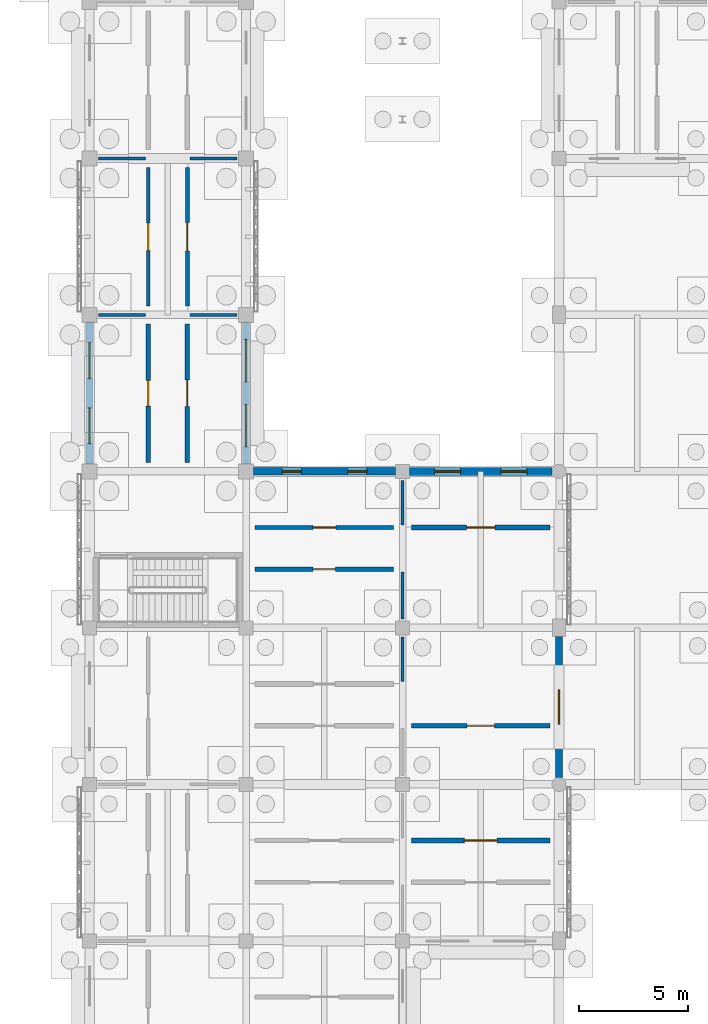
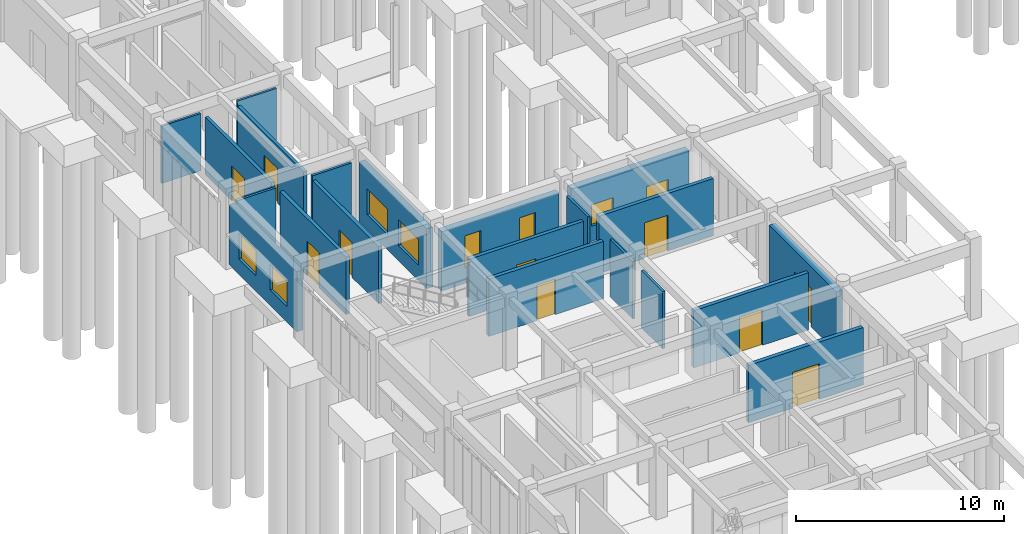
# One storey, part 65 of 111: 21 walls, 10 doors, 8 windows, 18 openings.
"""IFC4 building model written with IfcOpenShell, lengths in metres."""

import ifcopenshell
import ifcopenshell.guid

model = None  # the IFC model being written
_history = None  # IfcOwnerHistory: only IFC2X3 demands one
_inside = {}  # id of a spatial element -> (the spatial element, [elements in it])
_under = {}  # id of a project, library or spatial element -> (it, [spatial elements below it])
_declared = {}  # id of a project -> (the project, [libraries it declares])
_typed = {}  # id of a type object -> (the type object, [elements of that type])
_made_of = {}  # id of a material, layer set ... -> (it, [elements and type objects made of it])


def new_model(schema):
    """Start an empty IFC model of exactly this schema.

    Asked for "IFC4X3", IfcOpenShell would pick the latest addendum, in which some entities
    have other attributes; the version numbers below select the first issue.
    IFC2X3 requires an IfcOwnerHistory on every rooted entity: one is made here for all.
    """
    global model, _history
    if schema == "IFC4X3":
        model = ifcopenshell.file(schema_version=(4, 3, 0, 0))
    else:
        model = ifcopenshell.file(schema=schema)
    _inside.clear()
    _under.clear()
    _declared.clear()
    _typed.clear()
    _made_of.clear()
    _history = None
    if model.schema == "IFC2X3":
        org = make("IfcOrganization", Name="unknown")
        user = make(
            "IfcPersonAndOrganization",
            ThePerson=make("IfcPerson", FamilyName="unknown"),
            TheOrganization=org,
        )
        app = make(
            "IfcApplication",
            ApplicationDeveloper=org,
            Version="unknown",
            ApplicationFullName="unknown",
            ApplicationIdentifier="unknown",
        )
        _history = make(
            "IfcOwnerHistory",
            OwningUser=user,
            OwningApplication=app,
            ChangeAction="ADDED",
            CreationDate=0,
        )
    return model


def make(cls, **values):
    """One entity of the class cls with the attributes given. An attribute that is None is left unset."""
    return model.create_entity(
        cls, **{name: value for name, value in values.items() if value is not None}
    )


def rooted(cls, **values):
    """An entity with a GlobalId (a new one), such as an element, a storey or a relation."""
    return make(cls, GlobalId=ifcopenshell.guid.new(), OwnerHistory=_history, **values)


def si_unit(unit_type, name, prefix=None):
    """IfcSIUnit, for example si_unit("LENGTHUNIT", "METRE", prefix="MILLI")."""
    return make("IfcSIUnit", UnitType=unit_type, Prefix=prefix, Name=name)


def assignment(units):
    """IfcUnitAssignment: the units of a project."""
    return None if units is None else make("IfcUnitAssignment", Units=units)


def point(xyz):
    """IfcCartesianPoint."""
    return None if xyz is None else make("IfcCartesianPoint", Coordinates=xyz)


def direction(xyz):
    """IfcDirection."""
    return None if xyz is None else make("IfcDirection", DirectionRatios=xyz)


def frame(location, z_axis=None, x_axis=None):
    """IfcAxis2Placement3D, a coordinate frame: its origin and axes. An axis left out is left unset."""
    return make(
        "IfcAxis2Placement3D",
        Location=point(location),
        Axis=direction(z_axis),
        RefDirection=direction(x_axis),
    )


def frame_2d(location, x_axis=None):
    """IfcAxis2Placement2D, a coordinate frame in the plane: its origin and x axis."""
    return make(
        "IfcAxis2Placement2D", Location=point(location), RefDirection=direction(x_axis)
    )


def origin():
    """The frame at (0, 0, 0) with its axes left unset."""
    return frame((0.0, 0.0, 0.0))


def place(relative_to, where):
    """IfcLocalPlacement: puts the frame where relative to a parent placement (None: the world)."""
    return make(
        "IfcLocalPlacement", PlacementRelTo=relative_to, RelativePlacement=where
    )


def context(
    kind, dimensions, precision=None, world=None, true_north=None, identifier=None
):
    """IfcGeometricRepresentationContext, for example the 3D "Model" context."""
    return make(
        "IfcGeometricRepresentationContext",
        ContextIdentifier=identifier,
        ContextType=kind,
        CoordinateSpaceDimension=dimensions,
        Precision=precision,
        WorldCoordinateSystem=world,
        TrueNorth=true_north,
    )


def subcontext(parent, identifier, kind, view, scale=None):
    """IfcGeometricRepresentationSubContext, for example "Body" below "Model"."""
    return make(
        "IfcGeometricRepresentationSubContext",
        ContextIdentifier=identifier,
        ContextType=kind,
        ParentContext=parent,
        TargetScale=scale,
        TargetView=view,
    )


def project(units=None, contexts=None):
    """IfcProject with its units and contexts."""
    return rooted(
        "IfcProject",
        Name="project",
        RepresentationContexts=contexts,
        UnitsInContext=assignment(units),
    )


def spatial(cls, under=None, at=None, **own):
    """A site, building, storey or space (cls), placed at a placement, below another one or the project."""
    s = rooted(cls, ObjectPlacement=at, **own)
    if under is not None:
        _under.setdefault(under.id(), (under, []))[1].append(s)
    return s


def profile(cls, at=None, kind="AREA", **sizes):
    """A parametric profile (cls). Its sizes go by their IFC names, for example OverallWidth=200.0."""
    return make(cls, ProfileType=kind, Position=at, **sizes)


def rectangle(**sizes):
    """IfcRectangleProfileDef."""
    return profile("IfcRectangleProfileDef", **sizes)


def extrude(swept, where, along, depth):
    """IfcExtrudedAreaSolid: the profile swept, set in the frame where, extruded along a direction by depth."""
    return make(
        "IfcExtrudedAreaSolid",
        SweptArea=swept,
        Position=where,
        ExtrudedDirection=direction(along),
        Depth=depth,
    )


def shape(context_of_items, identifier, shape_type, items):
    """IfcShapeRepresentation: the items that make up one representation, for example the "Body"."""
    return make(
        "IfcShapeRepresentation",
        ContextOfItems=context_of_items,
        RepresentationIdentifier=identifier,
        RepresentationType=shape_type,
        Items=items,
    )


def material(Name=None, Category=None):
    """IfcMaterial."""
    return make("IfcMaterial", Name=Name, Category=Category)


def layer(
    of_material, thickness, ventilated=None, Name=None, Category=None, Priority=None
):
    """IfcMaterialLayer: one layer of a wall or slab, of a material (None: an air gap)."""
    return make(
        "IfcMaterialLayer",
        Material=of_material,
        LayerThickness=thickness,
        IsVentilated=ventilated,
        Name=Name,
        Category=Category,
        Priority=Priority,
    )


def layer_set(layers, Name=None):
    """IfcMaterialLayerSet."""
    return make("IfcMaterialLayerSet", MaterialLayers=layers, LayerSetName=Name)


def made_of(thing, what):
    """Note that an element or type object is made of a material, layer set ...; save() writes the relation."""
    if what is not None:
        _made_of.setdefault(what.id(), (what, []))[1].append(thing)
    return thing


def type_object(cls, material=None, **own):
    """A type object (cls), such as IfcWallType, which elements share."""
    return made_of(rooted(cls, **own), material)


def element(
    cls,
    number,
    at=None,
    inside=None,
    cuts=None,
    type_object=None,
    material=None,
    context=None,
    identifier="Body",
    shape_type=None,
    held_by="IfcProductDefinitionShape",
    body=None,
    shapes=None,
    **own,
):
    """One element of the class cls, such as IfcWall. Its Tag is "e" and its number.

    at: its placement. inside: the storey or other place that contains it. cuts: it is an
    opening in that element (IfcRelVoidsElement). A single representation is given by context,
    identifier, shape_type and body (its items); several are given by shapes. held_by: the class
    of the entity that holds the representations. save() writes the other relations.
    """
    e = rooted(cls, Tag="e%d" % number, ObjectPlacement=at, **own)
    if body is not None:
        shapes = [shape(context, identifier, shape_type, body)]
    if shapes is not None:
        e.Representation = make(held_by, Representations=shapes)
    if inside is not None:
        _inside.setdefault(inside.id(), (inside, []))[1].append(e)
    if cuts is not None:
        rooted(
            "IfcRelVoidsElement", RelatingBuildingElement=cuts, RelatedOpeningElement=e
        )
    if type_object is not None:
        _typed.setdefault(type_object.id(), (type_object, []))[1].append(e)
    return made_of(e, material)


def fill(opening, filler):
    """IfcRelFillsElement: the door or window that sits in an opening."""
    return rooted(
        "IfcRelFillsElement",
        RelatingOpeningElement=opening,
        RelatedBuildingElement=filler,
    )


def aggregate(whole, parts):
    """IfcRelAggregates: a whole, such as a stair, and the parts it consists of."""
    return rooted("IfcRelAggregates", RelatingObject=whole, RelatedObjects=parts)


def save(model, path):
    """Write the relations noted so far, then the file.

    IfcRelAggregates (storeys below a building ...), IfcRelContainedInSpatialStructure (elements
    in a storey), IfcRelDefinesByType, IfcRelAssociatesMaterial and IfcRelDeclares: one each for
    every whole, place, type object, material and project.
    """
    for whole, parts in _under.values():
        aggregate(whole, parts)
    for where, things in _inside.values():
        rooted(
            "IfcRelContainedInSpatialStructure",
            RelatedElements=things,
            RelatingStructure=where,
        )
    for kind, things in _typed.values():
        rooted("IfcRelDefinesByType", RelatedObjects=things, RelatingType=kind)
    for what, things in _made_of.values():
        rooted("IfcRelAssociatesMaterial", RelatedObjects=things, RelatingMaterial=what)
    for by, libraries in _declared.values():
        rooted("IfcRelDeclares", RelatingContext=by, RelatedDefinitions=libraries)
    model.write(path)


model = new_model("IFC4")

# Units and contexts
model_context = context("Model", 3, precision=1e-05, world=origin(), true_north=direction((0.0, 1.0)))
body_context = subcontext(model_context, "Body", "Model", "MODEL_VIEW")
ifc_project = project(units=[si_unit("LENGTHUNIT", "METRE"), si_unit("AREAUNIT", "SQUARE_METRE"), si_unit("VOLUMEUNIT", "CUBIC_METRE"), si_unit("PLANEANGLEUNIT", "RADIAN"), si_unit("MASSUNIT", "GRAM", prefix="KILO")], contexts=[model_context])

# Site, building, storey
site_placement = place(None, origin())
site = spatial("IfcSite", under=ifc_project, at=site_placement, CompositionType="ELEMENT")
building_placement = place(site_placement, origin())
building = spatial("IfcBuilding", under=site, at=building_placement, Name="Aldebral Square Health Centre", CompositionType="ELEMENT")
storey_placement = place(building_placement, origin())
storey = spatial("IfcBuildingStorey", under=building, at=storey_placement, Name="L00", CompositionType="ELEMENT", Elevation=0.0)

# Wall, openings, windows
ifc_material_1 = material(Name="Cream cantera stone and concrete wall C35/45", Category="masonry")
ifc_layer_1 = layer(ifc_material_1, 0.340087890625, Name="Cream cantera stone and concrete wall C35/45", Category="masonry")
ifc_layer_set_1 = layer_set([ifc_layer_1], Name="Cream cantera stone and concrete wall C35/45")
wall_type_1 = type_object("IfcWallType", Name="EW-CAN-340", PredefinedType="SOLIDWALL", material=ifc_layer_set_1)
wall_1_placement = place(storey_placement, frame((0.0, 71.64990234375, 0.0), z_axis=(0.0, 0.0, 1.0), x_axis=(0.0, -1.0, 0.0)))
wall_1 = element("IfcWall", 1, at=wall_1_placement, inside=storey, type_object=wall_type_1, Name="L00 V4 exterior wall L00-V4-00-09-W", PredefinedType="SOLIDWALL", context=body_context, shape_type="SweptSolid", body=[
    extrude(rectangle(XDim=6.5, YDim=0.340087890625, at=frame_2d((3.25, 0.0))), origin(), (0.0, 0.0, 1.0), 3.52001953125),
])
opening_1_placement = place(wall_1_placement, frame((0.925048828125, 0.0, 0.89990234375)))
opening_1 = element("IfcOpeningElement", 2, at=opening_1_placement, cuts=wall_1, Name="Opening W24", PredefinedType="OPENING", context=body_context, shape_type="SweptSolid", body=[
    extrude(rectangle(XDim=1.64990234375, YDim=1.5, at=frame_2d((0.824951171875, 0.75))), frame((0.0, 0.18017578125, 0.0), z_axis=(0.0, -1.0, 0.0), x_axis=(1.0, 0.0, 0.0)), (0.0, 0.0, 1.0), 0.360107421875),
])
opening_2_placement = place(wall_1_placement, frame((3.925048828125, 0.0, 0.89990234375)))
opening_2 = element("IfcOpeningElement", 3, at=opening_2_placement, cuts=wall_1, Name="Opening W24", PredefinedType="OPENING", context=body_context, shape_type="SweptSolid", body=[
    extrude(rectangle(XDim=1.64990234375, YDim=1.5, at=frame_2d((0.824951171875, 0.75))), frame((0.0, 0.18017578125, 0.0), z_axis=(0.0, -1.0, 0.0), x_axis=(1.0, 0.0, 0.0)), (0.0, 0.0, 1.0), 0.360107421875),
])
ifc_material_2 = material(Name="Thermally broken aluminium and low-E glass", Category="aluminium")
window_type_1 = type_object("IfcWindowType", Name="WIN-W24", PartitioningType="SINGLE_PANEL", PredefinedType="WINDOW", material=ifc_material_2)
window_1_placement = place(opening_1_placement, origin())
window_1 = element("IfcWindow", 4, at=window_1_placement, inside=storey, type_object=window_type_1, Name="L00 clinical window L00-V4-00-09-W.1", OverallHeight=1.5, OverallWidth=1.64990234375, PartitioningType="SINGLE_PANEL", PredefinedType="WINDOW", context=body_context, shape_type="SweptSolid", body=[
    extrude(rectangle(XDim=1.64990234375, YDim=1.5, at=frame_2d((0.824951171875, 0.75))), frame((0.0, 0.030029296875, 0.0), z_axis=(0.0, -1.0, 0.0), x_axis=(1.0, 0.0, 0.0)), (0.0, 0.0, 1.0), 0.06005859375),
])
fill(opening_1, window_1)
window_2_placement = place(opening_2_placement, origin())
window_2 = element("IfcWindow", 5, at=window_2_placement, inside=storey, type_object=window_type_1, Name="L00 clinical window L00-V4-00-09-W.2", OverallHeight=1.5, OverallWidth=1.64990234375, PartitioningType="SINGLE_PANEL", PredefinedType="WINDOW", context=body_context, shape_type="SweptSolid", body=[
    extrude(rectangle(XDim=1.64990234375, YDim=1.5, at=frame_2d((0.824951171875, 0.75))), frame((0.0, 0.030029296875, 0.0), z_axis=(0.0, -1.0, 0.0), x_axis=(1.0, 0.0, 0.0)), (0.0, 0.0, 1.0), 0.06005859375),
])
fill(opening_2, window_2)

wall_2_placement = place(storey_placement, frame((7.199951171875, 65.14990234375, 0.0), z_axis=(0.0, 0.0, 1.0), x_axis=(0.0, 1.0, 0.0)))
wall_2 = element("IfcWall", 6, at=wall_2_placement, inside=storey, type_object=wall_type_1, Name="L00 V4 exterior wall L00-V4-00-09-E", PredefinedType="SOLIDWALL", context=body_context, shape_type="SweptSolid", body=[
    extrude(rectangle(XDim=6.5, YDim=0.340087890625, at=frame_2d((3.25, 0.0))), origin(), (0.0, 0.0, 1.0), 3.52001953125),
])
opening_3_placement = place(wall_2_placement, frame((0.77490234375, 0.0, 0.89990234375)))
opening_3 = element("IfcOpeningElement", 7, at=opening_3_placement, cuts=wall_2, Name="Opening W26", PredefinedType="OPENING", context=body_context, shape_type="SweptSolid", body=[
    extrude(rectangle(XDim=1.949951171875, YDim=1.5, at=frame_2d((0.97509765625, 0.75))), frame((0.0, 0.18017578125, 0.0), z_axis=(0.0, -1.0, 0.0), x_axis=(1.0, 0.0, 0.0)), (0.0, 0.0, 1.0), 0.360107421875),
])
opening_4_placement = place(wall_2_placement, frame((3.77490234375, 0.0, 0.89990234375)))
opening_4 = element("IfcOpeningElement", 8, at=opening_4_placement, cuts=wall_2, Name="Opening W26", PredefinedType="OPENING", context=body_context, shape_type="SweptSolid", body=[
    extrude(rectangle(XDim=1.949951171875, YDim=1.5, at=frame_2d((0.97509765625, 0.75))), frame((0.0, 0.18017578125, 0.0), z_axis=(0.0, -1.0, 0.0), x_axis=(1.0, 0.0, 0.0)), (0.0, 0.0, 1.0), 0.360107421875),
])
window_type_2 = type_object("IfcWindowType", Name="WIN-W26", PartitioningType="SINGLE_PANEL", PredefinedType="WINDOW", material=ifc_material_2)
window_3_placement = place(opening_3_placement, origin())
window_3 = element("IfcWindow", 9, at=window_3_placement, inside=storey, type_object=window_type_2, Name="L00 clinical window L00-V4-00-09-E.1", OverallHeight=1.5, OverallWidth=1.949951171875, PartitioningType="SINGLE_PANEL", PredefinedType="WINDOW", context=body_context, shape_type="SweptSolid", body=[
    extrude(rectangle(XDim=1.949951171875, YDim=1.5, at=frame_2d((0.97509765625, 0.75))), frame((0.0, 0.030029296875, 0.0), z_axis=(0.0, -1.0, 0.0), x_axis=(1.0, 0.0, 0.0)), (0.0, 0.0, 1.0), 0.06005859375),
])
fill(opening_3, window_3)
window_4_placement = place(opening_4_placement, origin())
window_4 = element("IfcWindow", 10, at=window_4_placement, inside=storey, type_object=window_type_2, Name="L00 clinical window L00-V4-00-09-E.2", OverallHeight=1.5, OverallWidth=1.949951171875, PartitioningType="SINGLE_PANEL", PredefinedType="WINDOW", context=body_context, shape_type="SweptSolid", body=[
    extrude(rectangle(XDim=1.949951171875, YDim=1.5, at=frame_2d((0.97509765625, 0.75))), frame((0.0, 0.030029296875, 0.0), z_axis=(0.0, -1.0, 0.0), x_axis=(1.0, 0.0, 0.0)), (0.0, 0.0, 1.0), 0.06005859375),
])
fill(opening_4, window_4)

wall_3_placement = place(storey_placement, frame((14.074951171875, 64.800048828125, 0.0), z_axis=(0.0, 0.0, 1.0), x_axis=(-1.0, 0.0, 0.0)))
wall_3 = element("IfcWall", 11, at=wall_3_placement, inside=storey, type_object=wall_type_1, Name="L00 V4 exterior wall L00-V4-01-08-N", PredefinedType="SOLIDWALL", context=body_context, shape_type="SweptSolid", body=[
    extrude(rectangle(XDim=6.52490234375, YDim=0.340087890625, at=frame_2d((3.262451171875, 0.0))), origin(), (0.0, 0.0, 1.0), 3.469970703125),
])
opening_5_placement = place(wall_3_placement, frame((1.300048828125, 0.0, 0.89990234375)))
opening_5 = element("IfcOpeningElement", 12, at=opening_5_placement, cuts=wall_3, Name="Opening W46", PredefinedType="OPENING", context=body_context, shape_type="SweptSolid", body=[
    extrude(rectangle(XDim=0.89990234375, YDim=1.8798828125, at=frame_2d((0.449951171875, 0.93994140625))), frame((0.0, 0.18017578125, 0.0), z_axis=(0.0, -1.0, 0.0), x_axis=(1.0, 0.0, 0.0)), (0.0, 0.0, 1.0), 0.360107421875),
])
opening_6_placement = place(wall_3_placement, frame((4.324951171875, 0.0, 0.89990234375)))
opening_6 = element("IfcOpeningElement", 13, at=opening_6_placement, cuts=wall_3, Name="Opening W46", PredefinedType="OPENING", context=body_context, shape_type="SweptSolid", body=[
    extrude(rectangle(XDim=0.89990234375, YDim=1.8798828125, at=frame_2d((0.449951171875, 0.93994140625))), frame((0.0, 0.18017578125, 0.0), z_axis=(0.0, -1.0, 0.0), x_axis=(1.0, 0.0, 0.0)), (0.0, 0.0, 1.0), 0.360107421875),
])
window_type_3 = type_object("IfcWindowType", Name="WIN-W46", PartitioningType="SINGLE_PANEL", PredefinedType="WINDOW", material=ifc_material_2)
window_5_placement = place(opening_5_placement, origin())
window_5 = element("IfcWindow", 14, at=window_5_placement, inside=storey, type_object=window_type_3, Name="L00 clinical window L00-V4-01-08-N.1", OverallHeight=1.8798828125, OverallWidth=0.89990234375, PartitioningType="SINGLE_PANEL", PredefinedType="WINDOW", context=body_context, shape_type="SweptSolid", body=[
    extrude(rectangle(XDim=0.89990234375, YDim=1.8798828125, at=frame_2d((0.449951171875, 0.93994140625))), frame((0.0, 0.030029296875, 0.0), z_axis=(0.0, -1.0, 0.0), x_axis=(1.0, 0.0, 0.0)), (0.0, 0.0, 1.0), 0.06005859375),
])
fill(opening_5, window_5)
window_6_placement = place(opening_6_placement, origin())
window_6 = element("IfcWindow", 15, at=window_6_placement, inside=storey, type_object=window_type_3, Name="L00 clinical window L00-V4-01-08-N.2", OverallHeight=1.8798828125, OverallWidth=0.89990234375, PartitioningType="SINGLE_PANEL", PredefinedType="WINDOW", context=body_context, shape_type="SweptSolid", body=[
    extrude(rectangle(XDim=0.89990234375, YDim=1.8798828125, at=frame_2d((0.449951171875, 0.93994140625))), frame((0.0, 0.030029296875, 0.0), z_axis=(0.0, -1.0, 0.0), x_axis=(1.0, 0.0, 0.0)), (0.0, 0.0, 1.0), 0.06005859375),
])
fill(opening_6, window_6)

# Wall, opening, door
wall_4_placement = place(storey_placement, frame((21.60009765625, 57.199951171875, 0.0), z_axis=(0.0, 0.0, 1.0), x_axis=(0.0, -1.0, 0.0)))
wall_4 = element("IfcWall", 16, at=wall_4_placement, inside=storey, type_object=wall_type_1, Name="L00 V4 exterior wall L00-V4-02-07-E", PredefinedType="SOLIDWALL", context=body_context, shape_type="SweptSolid", body=[
    extrude(rectangle(XDim=6.474853515625, YDim=0.340087890625, at=frame_2d((3.2373046875, 0.0))), origin(), (0.0, 0.0, 1.0), 3.52001953125),
])
opening_7_placement = place(wall_4_placement, frame((2.4375, 0.0, 0.0)))
opening_7 = element("IfcOpeningElement", 17, at=opening_7_placement, cuts=wall_4, Name="Opening D-EX03", PredefinedType="OPENING", context=body_context, shape_type="SweptSolid", body=[
    extrude(rectangle(XDim=1.60009765625, YDim=2.25, at=frame_2d((0.800048828125, 1.125))), frame((0.0, 0.18017578125, 0.0), z_axis=(0.0, -1.0, 0.0), x_axis=(1.0, 0.0, 0.0)), (0.0, 0.0, 1.0), 0.360107421875),
])
ifc_material_3 = material(Name="Anodised aluminium and laminated safety glass", Category="aluminium")
door_type_1 = type_object("IfcDoorType", Name="DR-EX-160", OperationType="DOUBLE_DOOR_SINGLE_SWING", PredefinedType="DOOR", material=ifc_material_3)
door_1_placement = place(opening_7_placement, origin())
door_1 = element("IfcDoor", 18, at=door_1_placement, inside=storey, type_object=door_type_1, Name="L00 exterior door D-EX03", OperationType="DOUBLE_DOOR_SINGLE_SWING", OverallHeight=2.25, OverallWidth=1.60009765625, PredefinedType="DOOR", context=body_context, shape_type="SweptSolid", body=[
    extrude(rectangle(XDim=1.60009765625, YDim=2.25, at=frame_2d((0.800048828125, 1.125))), frame((0.0, 0.02490234375, 0.0), z_axis=(0.0, -1.0, 0.0), x_axis=(1.0, 0.0, 0.0)), (0.0, 0.0, 1.0), 0.050048828125),
])
fill(opening_7, door_1)

# Wall, openings, windows
ifc_layer_2 = layer(ifc_material_1, 0.360107421875, Name="Cream cantera stone and concrete wall C35/45", Category="masonry")
ifc_layer_set_2 = layer_set([ifc_layer_2], Name="Cream cantera stone and concrete wall C35/45")
wall_type_2 = type_object("IfcWallType", Name="EW-CAN-360", PredefinedType="SOLIDWALL", material=ifc_layer_set_2)
wall_5_placement = place(storey_placement, frame((21.27490234375, 64.800048828125, 0.0), z_axis=(0.0, 0.0, 1.0), x_axis=(-1.0, 0.0, 0.0)))
wall_5 = element("IfcWall", 19, at=wall_5_placement, inside=storey, type_object=wall_type_2, Name="L00 V4 exterior wall L00-V4-02-08-N", PredefinedType="SOLIDWALL", context=body_context, shape_type="SweptSolid", body=[
    extrude(rectangle(XDim=6.5498046875, YDim=0.360107421875, at=frame_2d((3.27490234375, 0.0))), origin(), (0.0, 0.0, 1.0), 3.469970703125),
])
opening_8_placement = place(wall_5_placement, frame((1.14990234375, 0.0, 0.89990234375)))
opening_8 = element("IfcOpeningElement", 20, at=opening_8_placement, cuts=wall_5, Name="Opening W03", PredefinedType="OPENING", context=body_context, shape_type="SweptSolid", body=[
    extrude(rectangle(XDim=1.199951171875, YDim=1.25, at=frame_2d((0.60009765625, 0.625))), frame((0.0, 0.18994140625, 0.0), z_axis=(0.0, -1.0, 0.0), x_axis=(1.0, 0.0, 0.0)), (0.0, 0.0, 1.0), 0.380126953125),
])
opening_9_placement = place(wall_5_placement, frame((4.199951171875, 0.0, 0.89990234375)))
opening_9 = element("IfcOpeningElement", 21, at=opening_9_placement, cuts=wall_5, Name="Opening W03", PredefinedType="OPENING", context=body_context, shape_type="SweptSolid", body=[
    extrude(rectangle(XDim=1.199951171875, YDim=1.25, at=frame_2d((0.60009765625, 0.625))), frame((0.0, 0.18994140625, 0.0), z_axis=(0.0, -1.0, 0.0), x_axis=(1.0, 0.0, 0.0)), (0.0, 0.0, 1.0), 0.380126953125),
])
window_type_4 = type_object("IfcWindowType", Name="WIN-W03", PartitioningType="SINGLE_PANEL", PredefinedType="WINDOW", material=ifc_material_2)
window_7_placement = place(opening_8_placement, origin())
window_7 = element("IfcWindow", 22, at=window_7_placement, inside=storey, type_object=window_type_4, Name="L00 clinical window L00-V4-02-08-N.1", OverallHeight=1.25, OverallWidth=1.199951171875, PartitioningType="SINGLE_PANEL", PredefinedType="WINDOW", context=body_context, shape_type="SweptSolid", body=[
    extrude(rectangle(XDim=1.199951171875, YDim=1.25, at=frame_2d((0.60009765625, 0.625))), frame((0.0, 0.030029296875, 0.0), z_axis=(0.0, -1.0, 0.0), x_axis=(1.0, 0.0, 0.0)), (0.0, 0.0, 1.0), 0.06005859375),
])
fill(opening_8, window_7)
window_8_placement = place(opening_9_placement, origin())
window_8 = element("IfcWindow", 23, at=window_8_placement, inside=storey, type_object=window_type_4, Name="L00 clinical window L00-V4-02-08-N.2", OverallHeight=1.25, OverallWidth=1.199951171875, PartitioningType="SINGLE_PANEL", PredefinedType="WINDOW", context=body_context, shape_type="SweptSolid", body=[
    extrude(rectangle(XDim=1.199951171875, YDim=1.25, at=frame_2d((0.60009765625, 0.625))), frame((0.0, 0.030029296875, 0.0), z_axis=(0.0, -1.0, 0.0), x_axis=(1.0, 0.0, 0.0)), (0.0, 0.0, 1.0), 0.06005859375),
])
fill(opening_9, window_8)

# Wall, opening, door
ifc_material_4 = material(Name="Concrete C35/45 compartment wall", Category="concrete")
ifc_layer_3 = layer(ifc_material_4, 0.199951171875, Name="Concrete C35/45 compartment wall", Category="concrete")
ifc_layer_set_3 = layer_set([ifc_layer_3], Name="Concrete C35/45 compartment wall")
wall_type_3 = type_object("IfcWallType", Name="IW-CMP-200", PredefinedType="SOLIDWALL", material=ifc_layer_set_3)
wall_6_placement = place(storey_placement, frame((2.699951171875, 65.219970703125, 0.0), z_axis=(0.0, 0.0, 1.0), x_axis=(0.0, 1.0, 0.0)))
wall_6 = element("IfcWall", 24, at=wall_6_placement, inside=storey, type_object=wall_type_3, Name="L00 Family Practice Clinic 1.10W corridor wall", PredefinedType="SOLIDWALL", context=body_context, shape_type="SweptSolid", body=[
    extrude(rectangle(XDim=6.360107421875, YDim=0.199951171875, at=frame_2d((3.18017578125, 0.0))), origin(), (0.0, 0.0, 1.0), 3.360107421875),
])
opening_10_placement = place(wall_6_placement, frame((2.590087890625, 0.0, 0.0)))
opening_10 = element("IfcOpeningElement", 25, at=opening_10_placement, cuts=wall_6, Name="Opening D-0091", PredefinedType="OPENING", context=body_context, shape_type="SweptSolid", body=[
    extrude(rectangle(XDim=1.179931640625, YDim=2.0400390625, at=frame_2d((0.58984375, 1.02001953125))), frame((0.0, 0.10986328125, 0.0), z_axis=(0.0, -1.0, 0.0), x_axis=(1.0, 0.0, 0.0)), (0.0, 0.0, 1.0), 0.219970703125),
])
ifc_material_5 = material(Name="Clinical suite fire door")
door_type_2 = type_object("IfcDoorType", Name="ID-EXD-07", OperationType="NOTDEFINED", PredefinedType="DOOR", material=ifc_material_5)
door_2_placement = place(opening_10_placement, origin())
door_2 = element("IfcDoor", 26, at=door_2_placement, inside=storey, type_object=door_type_2, Name="L00 Family Practice Clinic 1.10W door", OperationType="SINGLE_SWING_RIGHT", OverallHeight=2.0400390625, OverallWidth=1.179931640625, PredefinedType="DOOR", context=body_context, shape_type="SweptSolid", body=[
    extrude(rectangle(XDim=1.179931640625, YDim=2.0400390625, at=frame_2d((0.58984375, 1.02001953125))), frame((0.0, 0.02490234375, 0.0), z_axis=(0.0, -1.0, 0.0), x_axis=(1.0, 0.0, 0.0)), (0.0, 0.0, 1.0), 0.050048828125),
])
fill(opening_10, door_2)

wall_7_placement = place(storey_placement, frame((4.5, 65.219970703125, 0.0), z_axis=(0.0, 0.0, 1.0), x_axis=(0.0, 1.0, 0.0)))
wall_7 = element("IfcWall", 27, at=wall_7_placement, inside=storey, type_object=wall_type_3, Name="L00 Vaccination Room 1.10E corridor wall", PredefinedType="SOLIDWALL", context=body_context, shape_type="SweptSolid", body=[
    extrude(rectangle(XDim=6.360107421875, YDim=0.199951171875, at=frame_2d((3.18017578125, 0.0))), origin(), (0.0, 0.0, 1.0), 3.360107421875),
])
opening_11_placement = place(wall_7_placement, frame((2.570068359375, 0.0, 0.0)))
opening_11 = element("IfcOpeningElement", 28, at=opening_11_placement, cuts=wall_7, Name="Opening D-0092", PredefinedType="OPENING", context=body_context, shape_type="SweptSolid", body=[
    extrude(rectangle(XDim=1.219970703125, YDim=2.0400390625, at=frame_2d((0.60986328125, 1.02001953125))), frame((0.0, 0.10986328125, 0.0), z_axis=(0.0, -1.0, 0.0), x_axis=(1.0, 0.0, 0.0)), (0.0, 0.0, 1.0), 0.219970703125),
])
door_type_3 = type_object("IfcDoorType", Name="ID-EXD-08", OperationType="NOTDEFINED", PredefinedType="DOOR", material=ifc_material_5)
door_3_placement = place(opening_11_placement, origin())
door_3 = element("IfcDoor", 29, at=door_3_placement, inside=storey, type_object=door_type_3, Name="L00 Vaccination Room 1.10E door", OperationType="SINGLE_SWING_LEFT", OverallHeight=2.0400390625, OverallWidth=1.219970703125, PredefinedType="DOOR", context=body_context, shape_type="SweptSolid", body=[
    extrude(rectangle(XDim=1.219970703125, YDim=2.0400390625, at=frame_2d((0.60986328125, 1.02001953125))), frame((0.0, 0.02490234375, 0.0), z_axis=(0.0, -1.0, 0.0), x_axis=(1.0, 0.0, 0.0)), (0.0, 0.0, 1.0), 0.050048828125),
])
fill(opening_11, door_3)

wall_8_placement = place(storey_placement, frame((7.6201171875, 62.219970703125, 0.0), z_axis=(0.0, 0.0, 1.0), x_axis=(1.0, 0.0, 0.0)))
wall_8 = element("IfcWall", 30, at=wall_8_placement, inside=storey, type_object=wall_type_3, Name="L00 General Consulting Room 2.9N corridor wall", PredefinedType="SOLIDWALL", context=body_context, shape_type="SweptSolid", body=[
    extrude(rectangle(XDim=6.35986328125, YDim=0.199951171875, at=frame_2d((3.179931640625, 0.0))), origin(), (0.0, 0.0, 1.0), 3.360107421875),
])
opening_12_placement = place(wall_8_placement, frame((2.64990234375, 0.0, 0.0)))
opening_12 = element("IfcOpeningElement", 31, at=opening_12_placement, cuts=wall_8, Name="Opening D-0104", PredefinedType="OPENING", context=body_context, shape_type="SweptSolid", body=[
    extrude(rectangle(XDim=1.06005859375, YDim=2.090087890625, at=frame_2d((0.530029296875, 1.044921875))), frame((0.0, 0.10986328125, 0.0), z_axis=(0.0, -1.0, 0.0), x_axis=(1.0, 0.0, 0.0)), (0.0, 0.0, 1.0), 0.219970703125),
])
door_type_4 = type_object("IfcDoorType", Name="ID-EXD-20", OperationType="NOTDEFINED", PredefinedType="DOOR", material=ifc_material_5)
door_4_placement = place(opening_12_placement, origin())
door_4 = element("IfcDoor", 32, at=door_4_placement, inside=storey, type_object=door_type_4, Name="L00 General Consulting Room 2.9N door", OperationType="SINGLE_SWING_LEFT", OverallHeight=2.090087890625, OverallWidth=1.06005859375, PredefinedType="DOOR", context=body_context, shape_type="SweptSolid", body=[
    extrude(rectangle(XDim=1.06005859375, YDim=2.090087890625, at=frame_2d((0.530029296875, 1.044921875))), frame((0.0, 0.02490234375, 0.0), z_axis=(0.0, -1.0, 0.0), x_axis=(1.0, 0.0, 0.0)), (0.0, 0.0, 1.0), 0.050048828125),
])
fill(opening_12, door_4)

ifc_layer_4 = layer(ifc_material_4, 0.219970703125, Name="Concrete C35/45 compartment wall", Category="concrete")
ifc_layer_set_4 = layer_set([ifc_layer_4], Name="Concrete C35/45 compartment wall")
wall_type_4 = type_object("IfcWallType", Name="IW-CMP-220", PredefinedType="SOLIDWALL", material=ifc_layer_set_4)
wall_9_placement = place(storey_placement, frame((14.820068359375, 47.820068359375, 0.0), z_axis=(0.0, 0.0, 1.0), x_axis=(1.0, 0.0, 0.0)))
wall_9 = element("IfcWall", 33, at=wall_9_placement, inside=storey, type_object=wall_type_4, Name="L00 Community Room 3.7N corridor wall", PredefinedType="SOLIDWALL", context=body_context, shape_type="SweptSolid", body=[
    extrude(rectangle(XDim=6.35986328125, YDim=0.219970703125, at=frame_2d((3.179931640625, 0.0))), origin(), (0.0, 0.0, 1.0), 3.360107421875),
])
opening_13_placement = place(wall_9_placement, frame((2.429931640625, 0.0, 0.0)))
opening_13 = element("IfcOpeningElement", 34, at=opening_13_placement, cuts=wall_9, Name="Opening D-0184", PredefinedType="OPENING", context=body_context, shape_type="SweptSolid", body=[
    extrude(rectangle(XDim=1.5, YDim=2.090087890625, at=frame_2d((0.75, 1.044921875))), frame((0.0, 0.1201171875, 0.0), z_axis=(0.0, -1.0, 0.0), x_axis=(1.0, 0.0, 0.0)), (0.0, 0.0, 1.0), 0.239990234375),
])
door_type_5 = type_object("IfcDoorType", Name="ID-EXD-31", OperationType="NOTDEFINED", PredefinedType="DOOR", material=ifc_material_5)
door_5_placement = place(opening_13_placement, origin())
door_5 = element("IfcDoor", 35, at=door_5_placement, inside=storey, type_object=door_type_5, Name="L00 Community Room 3.7N door", OperationType="SINGLE_SWING_LEFT", OverallHeight=2.090087890625, OverallWidth=1.5, PredefinedType="DOOR", context=body_context, shape_type="SweptSolid", body=[
    extrude(rectangle(XDim=1.5, YDim=2.090087890625, at=frame_2d((0.75, 1.044921875))), frame((0.0, 0.02490234375, 0.0), z_axis=(0.0, -1.0, 0.0), x_axis=(1.0, 0.0, 0.0)), (0.0, 0.0, 1.0), 0.050048828125),
])
fill(opening_13, door_5)

ifc_material_6 = material(Name="Fire-rated acoustic gypsum partition")
ifc_layer_5 = layer(ifc_material_6, 0.179931640625, Name="Fire-rated acoustic gypsum partition")
ifc_layer_set_5 = layer_set([ifc_layer_5], Name="Fire-rated acoustic gypsum partition")
wall_type_5 = type_object("IfcWallType", Name="IW-COR-180", PredefinedType="PARTITIONING", material=ifc_layer_set_5)
wall_10_placement = place(storey_placement, frame((2.699951171875, 72.419921875, 0.0), z_axis=(0.0, 0.0, 1.0), x_axis=(0.0, 1.0, 0.0)))
wall_10 = element("IfcWall", 36, at=wall_10_placement, inside=storey, type_object=wall_type_5, Name="L00 Triage Nurse Station 1.11W corridor wall", PredefinedType="PARTITIONING", context=body_context, shape_type="SweptSolid", body=[
    extrude(rectangle(XDim=6.360107421875, YDim=0.179931640625, at=frame_2d((3.18017578125, 0.0))), origin(), (0.0, 0.0, 1.0), 3.360107421875),
])
opening_14_placement = place(wall_10_placement, frame((2.550048828125, 0.0, 0.0)))
opening_14 = element("IfcOpeningElement", 37, at=opening_14_placement, cuts=wall_10, Name="Opening D-0093", PredefinedType="OPENING", context=body_context, shape_type="SweptSolid", body=[
    extrude(rectangle(XDim=1.260009765625, YDim=2.0400390625, at=frame_2d((0.6298828125, 1.02001953125))), frame((0.0, 0.10009765625, 0.0), z_axis=(0.0, -1.0, 0.0), x_axis=(1.0, 0.0, 0.0)), (0.0, 0.0, 1.0), 0.199951171875),
])
door_type_6 = type_object("IfcDoorType", Name="ID-EXD-09", OperationType="NOTDEFINED", PredefinedType="DOOR", material=ifc_material_5)
door_6_placement = place(opening_14_placement, origin())
door_6 = element("IfcDoor", 38, at=door_6_placement, inside=storey, type_object=door_type_6, Name="L00 Triage Nurse Station 1.11W door", OperationType="SINGLE_SWING_RIGHT", OverallHeight=2.0400390625, OverallWidth=1.260009765625, PredefinedType="DOOR", context=body_context, shape_type="SweptSolid", body=[
    extrude(rectangle(XDim=1.260009765625, YDim=2.0400390625, at=frame_2d((0.6298828125, 1.02001953125))), frame((0.0, 0.02490234375, 0.0), z_axis=(0.0, -1.0, 0.0), x_axis=(1.0, 0.0, 0.0)), (0.0, 0.0, 1.0), 0.050048828125),
])
fill(opening_14, door_6)

wall_11_placement = place(storey_placement, frame((4.5, 72.419921875, 0.0), z_axis=(0.0, 0.0, 1.0), x_axis=(0.0, 1.0, 0.0)))
wall_11 = element("IfcWall", 39, at=wall_11_placement, inside=storey, type_object=wall_type_5, Name="L00 Clean Clinical Store 1.11E corridor wall", PredefinedType="PARTITIONING", context=body_context, shape_type="SweptSolid", body=[
    extrude(rectangle(XDim=6.360107421875, YDim=0.179931640625, at=frame_2d((3.18017578125, 0.0))), origin(), (0.0, 0.0, 1.0), 3.360107421875),
])
opening_15_placement = place(wall_11_placement, frame((2.530029296875, 0.0, 0.0)))
opening_15 = element("IfcOpeningElement", 40, at=opening_15_placement, cuts=wall_11, Name="Opening D-0094", PredefinedType="OPENING", context=body_context, shape_type="SweptSolid", body=[
    extrude(rectangle(XDim=1.300048828125, YDim=2.0400390625, at=frame_2d((0.64990234375, 1.02001953125))), frame((0.0, 0.10009765625, 0.0), z_axis=(0.0, -1.0, 0.0), x_axis=(1.0, 0.0, 0.0)), (0.0, 0.0, 1.0), 0.199951171875),
])
door_type_7 = type_object("IfcDoorType", Name="ID-EXD-10", OperationType="NOTDEFINED", PredefinedType="DOOR", material=ifc_material_5)
door_7_placement = place(opening_15_placement, origin())
door_7 = element("IfcDoor", 41, at=door_7_placement, inside=storey, type_object=door_type_7, Name="L00 Clean Clinical Store 1.11E door", OperationType="SINGLE_SWING_LEFT", OverallHeight=2.0400390625, OverallWidth=1.300048828125, PredefinedType="DOOR", context=body_context, shape_type="SweptSolid", body=[
    extrude(rectangle(XDim=1.300048828125, YDim=2.0400390625, at=frame_2d((0.64990234375, 1.02001953125))), frame((0.0, 0.02490234375, 0.0), z_axis=(0.0, -1.0, 0.0), x_axis=(1.0, 0.0, 0.0)), (0.0, 0.0, 1.0), 0.050048828125),
])
fill(opening_15, door_7)

ifc_material_7 = material(Name="Moisture-resistant sanitary chase wall")
ifc_layer_6 = layer(ifc_material_7, 0.2099609375, Name="Moisture-resistant sanitary chase wall")
ifc_layer_set_6 = layer_set([ifc_layer_6], Name="Moisture-resistant sanitary chase wall")
wall_type_6 = type_object("IfcWallType", Name="IW-PLB-210", PredefinedType="PLUMBINGWALL", material=ifc_layer_set_6)
wall_12_placement = place(storey_placement, frame((7.6201171875, 60.300048828125, 0.0), z_axis=(0.0, 0.0, 1.0), x_axis=(1.0, 0.0, 0.0)))
wall_12 = element("IfcWall", 42, at=wall_12_placement, inside=storey, type_object=wall_type_6, Name="L00 Patient Toilet 2.9S corridor wall", PredefinedType="PLUMBINGWALL", context=body_context, shape_type="SweptSolid", body=[
    extrude(rectangle(XDim=6.35986328125, YDim=0.2099609375, at=frame_2d((3.179931640625, 0.0))), origin(), (0.0, 0.0, 1.0), 3.360107421875),
])
opening_16_placement = place(wall_12_placement, frame((2.669921875, 0.0, 0.0)))
opening_16 = element("IfcOpeningElement", 43, at=opening_16_placement, cuts=wall_12, Name="Opening D-0103", PredefinedType="OPENING", context=body_context, shape_type="SweptSolid", body=[
    extrude(rectangle(XDim=1.02001953125, YDim=2.090087890625, at=frame_2d((0.510009765625, 1.044921875))), frame((0.0, 0.114990234375, 0.0), z_axis=(0.0, -1.0, 0.0), x_axis=(1.0, 0.0, 0.0)), (0.0, 0.0, 1.0), 0.22998046875),
])
door_type_8 = type_object("IfcDoorType", Name="ID-EXD-19", OperationType="NOTDEFINED", PredefinedType="DOOR", material=ifc_material_5)
door_8_placement = place(opening_16_placement, origin())
door_8 = element("IfcDoor", 44, at=door_8_placement, inside=storey, type_object=door_type_8, Name="L00 Patient Toilet 2.9S door", OperationType="SINGLE_SWING_RIGHT", OverallHeight=2.090087890625, OverallWidth=1.02001953125, PredefinedType="DOOR", context=body_context, shape_type="SweptSolid", body=[
    extrude(rectangle(XDim=1.02001953125, YDim=2.090087890625, at=frame_2d((0.510009765625, 1.044921875))), frame((0.0, 0.02490234375, 0.0), z_axis=(0.0, -1.0, 0.0), x_axis=(1.0, 0.0, 0.0)), (0.0, 0.0, 1.0), 0.050048828125),
])
fill(opening_16, door_8)

wall_13_placement = place(storey_placement, frame((14.820068359375, 53.10009765625, 0.0), z_axis=(0.0, 0.0, 1.0), x_axis=(1.0, 0.0, 0.0)))
wall_13 = element("IfcWall", 45, at=wall_13_placement, inside=storey, type_object=wall_type_6, Name="L00 Accessible WC 3.8S corridor wall", PredefinedType="PLUMBINGWALL", context=body_context, shape_type="SweptSolid", body=[
    extrude(rectangle(XDim=6.35986328125, YDim=0.2099609375, at=frame_2d((3.179931640625, 0.0))), origin(), (0.0, 0.0, 1.0), 3.360107421875),
])
opening_17_placement = place(wall_13_placement, frame((2.550048828125, 0.0, 0.0)))
opening_17 = element("IfcOpeningElement", 46, at=opening_17_placement, cuts=wall_13, Name="Opening D-0109", PredefinedType="OPENING", context=body_context, shape_type="SweptSolid", body=[
    extrude(rectangle(XDim=1.260009765625, YDim=2.090087890625, at=frame_2d((0.6298828125, 1.044921875))), frame((0.0, 0.114990234375, 0.0), z_axis=(0.0, -1.0, 0.0), x_axis=(1.0, 0.0, 0.0)), (0.0, 0.0, 1.0), 0.22998046875),
])
door_type_9 = type_object("IfcDoorType", Name="ID-EXD-25", OperationType="NOTDEFINED", PredefinedType="DOOR", material=ifc_material_5)
door_9_placement = place(opening_17_placement, origin())
door_9 = element("IfcDoor", 47, at=door_9_placement, inside=storey, type_object=door_type_9, Name="L00 Accessible WC 3.8S door", OperationType="SINGLE_SWING_RIGHT", OverallHeight=2.090087890625, OverallWidth=1.260009765625, PredefinedType="DOOR", context=body_context, shape_type="SweptSolid", body=[
    extrude(rectangle(XDim=1.260009765625, YDim=2.090087890625, at=frame_2d((0.6298828125, 1.044921875))), frame((0.0, 0.02490234375, 0.0), z_axis=(0.0, -1.0, 0.0), x_axis=(1.0, 0.0, 0.0)), (0.0, 0.0, 1.0), 0.050048828125),
])
fill(opening_17, door_9)

wall_14_placement = place(storey_placement, frame((14.820068359375, 62.219970703125, 0.0), z_axis=(0.0, 0.0, 1.0), x_axis=(1.0, 0.0, 0.0)))
wall_14 = element("IfcWall", 48, at=wall_14_placement, inside=storey, type_object=wall_type_6, Name="L00 Patient Toilet 3.9N corridor wall", PredefinedType="PLUMBINGWALL", context=body_context, shape_type="SweptSolid", body=[
    extrude(rectangle(XDim=6.35986328125, YDim=0.2099609375, at=frame_2d((3.179931640625, 0.0))), origin(), (0.0, 0.0, 1.0), 3.360107421875),
])
opening_18_placement = place(wall_14_placement, frame((2.530029296875, 0.0, 0.0)))
opening_18 = element("IfcOpeningElement", 49, at=opening_18_placement, cuts=wall_14, Name="Opening D-0110", PredefinedType="OPENING", context=body_context, shape_type="SweptSolid", body=[
    extrude(rectangle(XDim=1.300048828125, YDim=2.090087890625, at=frame_2d((0.64990234375, 1.044921875))), frame((0.0, 0.114990234375, 0.0), z_axis=(0.0, -1.0, 0.0), x_axis=(1.0, 0.0, 0.0)), (0.0, 0.0, 1.0), 0.22998046875),
])
door_type_10 = type_object("IfcDoorType", Name="ID-EXD-26", OperationType="NOTDEFINED", PredefinedType="DOOR", material=ifc_material_5)
door_10_placement = place(opening_18_placement, origin())
door_10 = element("IfcDoor", 50, at=door_10_placement, inside=storey, type_object=door_type_10, Name="L00 Patient Toilet 3.9N door", OperationType="SINGLE_SWING_LEFT", OverallHeight=2.090087890625, OverallWidth=1.300048828125, PredefinedType="DOOR", context=body_context, shape_type="SweptSolid", body=[
    extrude(rectangle(XDim=1.300048828125, YDim=2.090087890625, at=frame_2d((0.64990234375, 1.044921875))), frame((0.0, 0.02490234375, 0.0), z_axis=(0.0, -1.0, 0.0), x_axis=(1.0, 0.0, 0.0)), (0.0, 0.0, 1.0), 0.050048828125),
])
fill(opening_18, door_10)

# Walls
ifc_material_8 = material(Name="Acoustic clinical gypsum partition")
ifc_layer_7 = layer(ifc_material_8, 0.1201171875, Name="Acoustic clinical gypsum partition")
ifc_layer_set_7 = layer_set([ifc_layer_7], Name="Acoustic clinical gypsum partition")
wall_type_7 = type_object("IfcWallType", Name="IW-PRT-120", PredefinedType="PARTITIONING", material=ifc_layer_set_7)
wall_15_placement = place(storey_placement, frame((0.419921875, 79.199951171875, 0.0), z_axis=(0.0, 0.0, 1.0), x_axis=(1.0, 0.0, 0.0)))
element("IfcWall", 51, at=wall_15_placement, inside=storey, type_object=wall_type_7, Name="L00 Triage Nurse Station 1.11W demising partition", PredefinedType="PARTITIONING", context=body_context, shape_type="SweptSolid", body=[
    extrude(rectangle(XDim=2.16015625, YDim=0.1201171875, at=frame_2d((1.080078125, 0.0))), origin(), (0.0, 0.0, 1.0), 3.360107421875),
])
wall_16_placement = place(storey_placement, frame((4.6201171875, 79.199951171875, 0.0), z_axis=(0.0, 0.0, 1.0), x_axis=(1.0, 0.0, 0.0)))
element("IfcWall", 52, at=wall_16_placement, inside=storey, type_object=wall_type_7, Name="L00 Clean Clinical Store 1.11E demising partition", PredefinedType="PARTITIONING", context=body_context, shape_type="SweptSolid", body=[
    extrude(rectangle(XDim=2.159912109375, YDim=0.1201171875, at=frame_2d((1.080078125, 0.0))), origin(), (0.0, 0.0, 1.0), 3.360107421875),
])
ifc_layer_8 = layer(ifc_material_8, 0.135009765625, Name="Acoustic clinical gypsum partition")
ifc_layer_set_8 = layer_set([ifc_layer_8], Name="Acoustic clinical gypsum partition")
wall_type_8 = type_object("IfcWallType", Name="IW-PRT-135", PredefinedType="PARTITIONING", material=ifc_layer_set_8)
wall_17_placement = place(storey_placement, frame((0.419921875, 72.0, 0.0), z_axis=(0.0, 0.0, 1.0), x_axis=(1.0, 0.0, 0.0)))
element("IfcWall", 53, at=wall_17_placement, inside=storey, type_object=wall_type_8, Name="L00 Family Practice Clinic 1.10W demising partition", PredefinedType="PARTITIONING", context=body_context, shape_type="SweptSolid", body=[
    extrude(rectangle(XDim=2.16015625, YDim=0.135009765625, at=frame_2d((1.080078125, 0.0))), origin(), (0.0, 0.0, 1.0), 3.360107421875),
])
for number, where, z_axis, x_axis, name in (
    (54, (4.6201171875, 72.0, 0.0), (0.0, 0.0, 1.0), (1.0, 0.0, 0.0), "L00 Vaccination Room 1.10E demising partition"),
    (55, (14.39990234375, 58.02001953125, 0.0), (0.0, 0.0, 1.0), (0.0, 1.0, 0.0), "L00 Patient Toilet 2.9S demising partition"),
):
    element("IfcWall", number, at=place(storey_placement, frame(where, z_axis=z_axis, x_axis=x_axis)), inside=storey, type_object=wall_type_8, Name=name, PredefinedType="PARTITIONING", context=body_context, shape_type="SweptSolid", body=[
        extrude(rectangle(XDim=2.159912109375, YDim=0.135009765625, at=frame_2d((1.080078125, 0.0))), origin(), (0.0, 0.0, 1.0), 3.360107421875),
    ])
wall_18_placement = place(storey_placement, frame((14.39990234375, 62.340087890625, 0.0), z_axis=(0.0, 0.0, 1.0), x_axis=(0.0, 1.0, 0.0)))
element("IfcWall", 56, at=wall_18_placement, inside=storey, type_object=wall_type_8, Name="L00 General Consulting Room 2.9N demising partition", PredefinedType="PARTITIONING", context=body_context, shape_type="SweptSolid", body=[
    extrude(rectangle(XDim=2.039794921875, YDim=0.135009765625, at=frame_2d((1.02001953125, 0.0))), origin(), (0.0, 0.0, 1.0), 3.360107421875),
])
ifc_layer_9 = layer(ifc_material_8, 0.14990234375, Name="Acoustic clinical gypsum partition")
ifc_layer_set_9 = layer_set([ifc_layer_9], Name="Acoustic clinical gypsum partition")
wall_type_9 = type_object("IfcWallType", Name="IW-PRT-150", PredefinedType="PARTITIONING", material=ifc_layer_set_9)
wall_19_placement = place(storey_placement, frame((14.39990234375, 55.139892578125, 0.0), z_axis=(0.0, 0.0, 1.0), x_axis=(0.0, 1.0, 0.0)))
element("IfcWall", 57, at=wall_19_placement, inside=storey, type_object=wall_type_9, Name="L00 Accessible WC 2.8N demising partition", PredefinedType="PARTITIONING", context=body_context, shape_type="SweptSolid", body=[
    extrude(rectangle(XDim=2.0400390625, YDim=0.14990234375, at=frame_2d((1.02001953125, 0.0))), origin(), (0.0, 0.0, 1.0), 3.360107421875),
])

save(model, "model.ifc")
